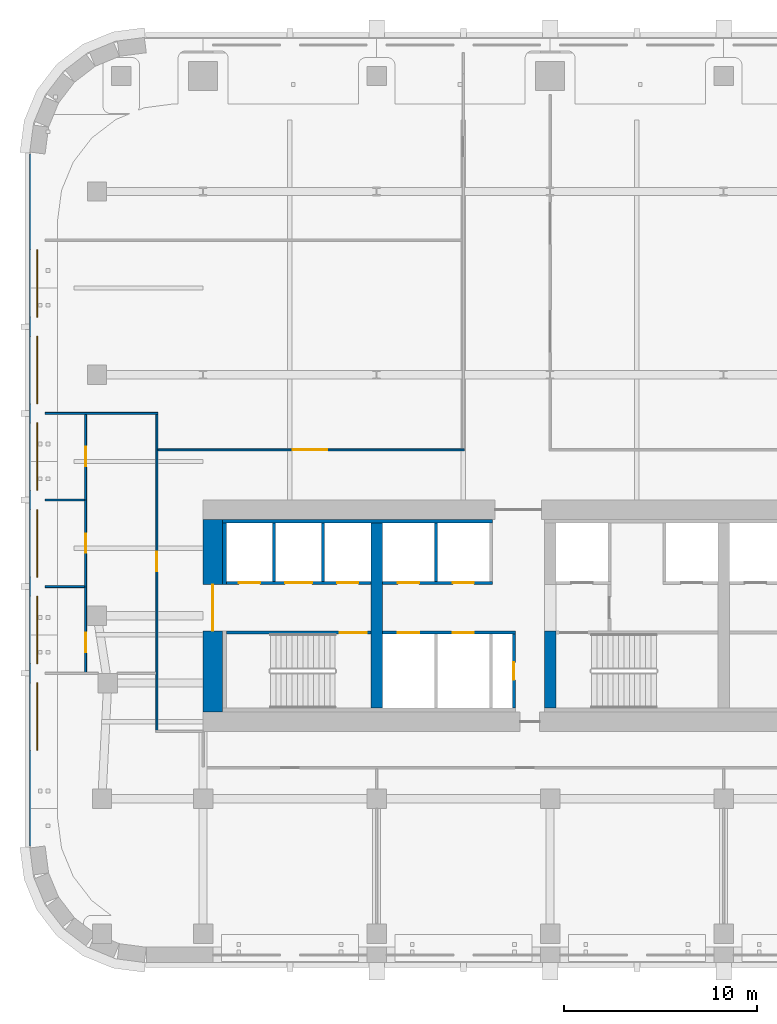
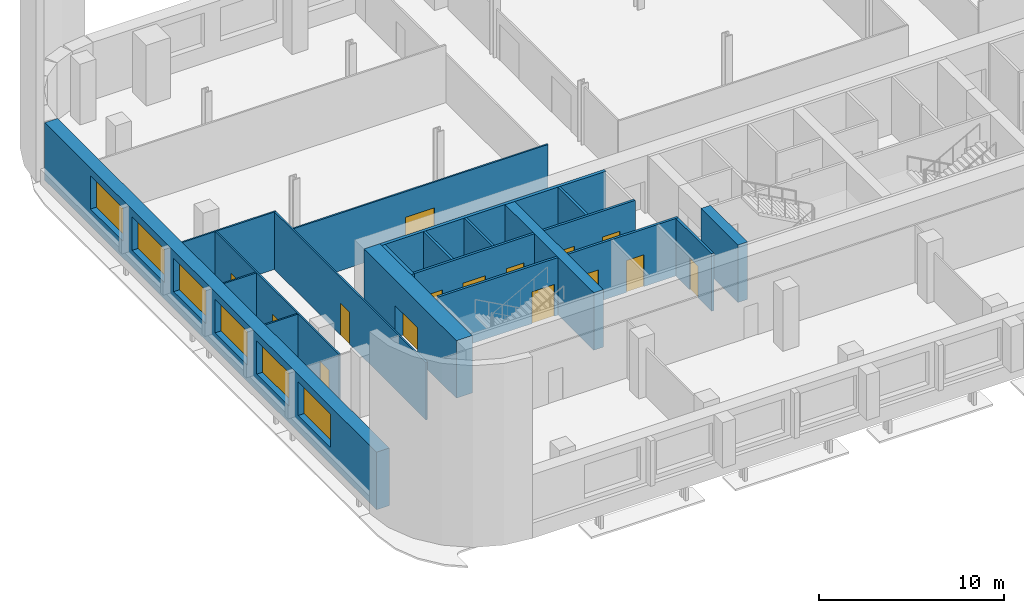
# One storey, part 3 of 13: 20 walls, 15 doors, 6 windows, 21 openings.
"""IFC4 building model written with IfcOpenShell, lengths in metres."""

from ifc_helpers import new_model, si_unit, direction, frame, frame_2d, origin, place, context, subcontext, project, spatial, rectangle, extrude, material, layer, layer_set, type_object, element, fill, save


model = new_model("IFC4")

# Units and contexts
model_context = context("Model", 3, precision=1e-05, world=origin(), true_north=direction((0.0, 1.0)))
body_context = subcontext(model_context, "Body", "Model", "MODEL_VIEW")
ifc_project = project(units=[si_unit("LENGTHUNIT", "METRE"), si_unit("AREAUNIT", "SQUARE_METRE"), si_unit("VOLUMEUNIT", "CUBIC_METRE"), si_unit("PLANEANGLEUNIT", "RADIAN"), si_unit("MASSUNIT", "GRAM", prefix="KILO")], contexts=[model_context])

# Site, building, storey
site_placement = place(None, origin())
site = spatial("IfcSite", under=ifc_project, at=site_placement, CompositionType="ELEMENT")
building_placement = place(site_placement, origin())
building = spatial("IfcBuilding", under=site, at=building_placement, Name="Zellij Exchange Tower", CompositionType="ELEMENT")
storey_placement = place(building_placement, frame((0.0, 0.0, 108.5)))
storey = spatial("IfcBuildingStorey", under=building, at=storey_placement, Name="L23", CompositionType="ELEMENT", Elevation=108.5)

# Walls
ifc_material_1 = material(Name="Concrete C70/85", Category="concrete")
ifc_layer_1 = layer(ifc_material_1, 0.60009765625)
ifc_layer_set_1 = layer_set([ifc_layer_1], Name="Concrete C70/85")
wall_type_1 = type_object("IfcWallType", Name="CORE-CW 600 C70/85", PredefinedType="SHEAR", material=ifc_layer_set_1)
wall_1_placement = place(storey_placement, frame((-18.0, -12.800048828125, 0.0), z_axis=(0.0, 0.0, 1.0), x_axis=(0.0, 1.0, 0.0)))
element("IfcWall", 1, at=wall_1_placement, inside=storey, type_object=wall_type_1, Name="Core cross wall x -18 L23", PredefinedType="SHEAR", context=body_context, shape_type="SweptSolid", body=[
    extrude(rectangle(XDim=9.60009765625, YDim=0.60009765625, at=frame_2d((4.800048828125, 0.0))), origin(), (0.0, 0.0, 1.0), 3.800048828125),
])
wall_2_placement = place(storey_placement, frame((-9.0, -12.800048828125, 0.0), z_axis=(0.0, 0.0, 1.0), x_axis=(0.0, 1.0, 0.0)))
element("IfcWall", 2, at=wall_2_placement, inside=storey, type_object=wall_type_1, Name="Core cross wall pier x -9 a L23", PredefinedType="SHEAR", context=body_context, shape_type="SweptSolid", body=[
    extrude(rectangle(XDim=4.0, YDim=0.60009765625, at=frame_2d((2.0, 0.0))), origin(), (0.0, 0.0, 1.0), 3.800048828125),
])
ifc_material_2 = material(Name="Concrete C30/37", Category="concrete")
ifc_layer_2 = layer(ifc_material_2, 0.199951171875)
ifc_layer_set_2 = layer_set([ifc_layer_2], Name="Concrete C30/37")
wall_type_2 = type_object("IfcWallType", Name="CORE-LW 200 C30/37", PredefinedType="SHEAR", material=ifc_layer_set_2)
wall_3_placement = place(storey_placement, frame((-26.0, -3.10009765625, 0.0), z_axis=(0.0, 0.0, 1.0), x_axis=(1.0, 0.0, 0.0)))
element("IfcWall", 3, at=wall_3_placement, inside=storey, type_object=wall_type_2, Name="Core wall lining front.0 L23", PredefinedType="SHEAR", context=body_context, shape_type="SweptSolid", body=[
    extrude(rectangle(XDim=14.0, YDim=0.199951171875, at=frame_2d((7.0, 0.0))), origin(), (0.0, 0.0, 1.0), 3.800048828125),
])
wall_4_placement = place(storey_placement, frame((-25.89990234375, -6.375, 0.0), z_axis=(0.0, 0.0, 1.0), x_axis=(0.0, 1.0, 0.0)))
element("IfcWall", 4, at=wall_4_placement, inside=storey, type_object=wall_type_2, Name="Core wall lining end w.1 L23", PredefinedType="SHEAR", context=body_context, shape_type="SweptSolid", body=[
    extrude(rectangle(XDim=3.175048828125, YDim=0.199951171875, at=frame_2d((1.58740234375, 0.0))), origin(), (0.0, 0.0, 1.0), 3.800048828125),
])

# Wall, opening, door
ifc_material_3 = material(Name="Gypsum board partition")
ifc_layer_3 = layer(ifc_material_3, 0.14990234375)
ifc_layer_set_3 = layer_set([ifc_layer_3], Name="Gypsum board partition")
wall_type_3 = type_object("IfcWallType", Name="CORE-PW 150 Lift lobby wall", PredefinedType="PARTITIONING", material=ifc_layer_set_3)
wall_5_placement = place(storey_placement, frame((-10.875, -12.800048828125, 0.0), z_axis=(0.0, 0.0, 1.0), x_axis=(0.0, 1.0, 0.0)))
wall_5 = element("IfcWall", 5, at=wall_5_placement, inside=storey, type_object=wall_type_3, Name="Lift lobby wall L23", PredefinedType="PARTITIONING", context=body_context, shape_type="SweptSolid", body=[
    extrude(rectangle(XDim=3.85009765625, YDim=0.14990234375, at=frame_2d((1.925048828125, 0.0))), origin(), (0.0, 0.0, 1.0), 3.800048828125),
])
opening_1_placement = place(wall_5_placement, frame((1.47509765625, 0.0, 0.0)))
opening_1 = element("IfcOpeningElement", 6, at=opening_1_placement, cuts=wall_5, Name="Opening CA-13.10", PredefinedType="OPENING", context=body_context, shape_type="SweptSolid", body=[
    extrude(rectangle(XDim=0.89990234375, YDim=2.10009765625, at=frame_2d((0.449951171875, 1.050048828125))), frame((0.0, 0.0869140625, 0.0), z_axis=(0.0, -1.0, 0.0), x_axis=(1.0, 0.0, 0.0)), (0.0, 0.0, 1.0), 0.173828125),
])
ifc_material_4 = material(Name="Hollow metal fire door")
door_type_1 = type_object("IfcDoorType", Name="CORE-D RD Riser door 900x2100 1.5 HR", OperationType="NOTDEFINED", PredefinedType="DOOR", material=ifc_material_4)
door_1_placement = place(opening_1_placement, origin())
door_1 = element("IfcDoor", 7, at=door_1_placement, inside=storey, type_object=door_type_1, Name="Riser door CA-13.10", OperationType="SINGLE_SWING_RIGHT", OverallHeight=2.10009765625, OverallWidth=0.89990234375, PredefinedType="DOOR", context=body_context, shape_type="SweptSolid", body=[
    extrude(rectangle(XDim=0.89990234375, YDim=2.10009765625, at=frame_2d((0.449951171875, 1.050048828125))), frame((0.0, 0.02490234375, 0.0), z_axis=(0.0, -1.0, 0.0), x_axis=(1.0, 0.0, 0.0)), (0.0, 0.0, 1.0), 0.050048828125),
])
fill(opening_1, door_1)

# Walls
ifc_material_5 = material(Name="Gypsum shaft wall system")
ifc_layer_4 = layer(ifc_material_5, 0.14990234375)
ifc_layer_set_4 = layer_set([ifc_layer_4], Name="Gypsum shaft wall system")
wall_type_4 = type_object("IfcWallType", Name="CORE-PW 150 Lift shaft wall", PredefinedType="PARTITIONING", material=ifc_layer_set_4)
for number, where, z_axis, x_axis, name in (
    (8, (-20.77490234375, -6.22509765625, 0.0), (0.0, 0.0, 1.0), (0.0, 1.0, 0.0), "Lift shaft wall L23"),
    (9, (-23.324951171875, -6.22509765625, 0.0), (0.0, 0.0, 1.0), (0.0, 1.0, 0.0), "Lift shaft wall L23"),
    (10, (-14.925048828125, -6.22509765625, 0.0), (0.0, 0.0, 1.0), (0.0, 1.0, 0.0), "Lift shaft wall L23"),
):
    element("IfcWall", number, at=place(storey_placement, frame(where, z_axis=z_axis, x_axis=x_axis)), inside=storey, type_object=wall_type_4, Name=name, PredefinedType="PARTITIONING", context=body_context, shape_type="SweptSolid", body=[
        extrude(rectangle(XDim=3.025146484375, YDim=0.14990234375, at=frame_2d((1.5126953125, 0.0))), origin(), (0.0, 0.0, 1.0), 3.800048828125),
    ])

# Wall, openings, doors
wall_6_placement = place(storey_placement, frame((-25.800048828125, -6.300048828125, 0.0), z_axis=(0.0, 0.0, 1.0), x_axis=(1.0, 0.0, 0.0)))
wall_6 = element("IfcWall", 11, at=wall_6_placement, inside=storey, type_object=wall_type_4, Name="Lift shaft wall L23", PredefinedType="PARTITIONING", context=body_context, shape_type="SweptSolid", body=[
    extrude(rectangle(XDim=7.5, YDim=0.14990234375, at=frame_2d((3.75, 0.0))), origin(), (0.0, 0.0, 1.0), 3.800048828125),
])
opening_2_placement = place(wall_6_placement, frame((0.64990234375, 0.0, 0.0)))
opening_2 = element("IfcOpeningElement", 12, at=opening_2_placement, cuts=wall_6, Name="Opening CA-13.02", PredefinedType="OPENING", context=body_context, shape_type="SweptSolid", body=[
    extrude(rectangle(XDim=1.10009765625, YDim=2.10009765625, at=frame_2d((0.550048828125, 1.050048828125))), frame((0.0, 0.0869140625, 0.0), z_axis=(0.0, -1.0, 0.0), x_axis=(1.0, 0.0, 0.0)), (0.0, 0.0, 1.0), 0.173828125),
])
opening_3_placement = place(wall_6_placement, frame((3.050048828125, 0.0, 0.0)))
opening_3 = element("IfcOpeningElement", 13, at=opening_3_placement, cuts=wall_6, Name="Opening CA-13.03", PredefinedType="OPENING", context=body_context, shape_type="SweptSolid", body=[
    extrude(rectangle(XDim=1.39990234375, YDim=2.10009765625, at=frame_2d((0.699951171875, 1.050048828125))), frame((0.0, 0.0869140625, 0.0), z_axis=(0.0, -1.0, 0.0), x_axis=(1.0, 0.0, 0.0)), (0.0, 0.0, 1.0), 0.173828125),
])
opening_4_placement = place(wall_6_placement, frame((5.75, 0.0, 0.0)))
opening_4 = element("IfcOpeningElement", 14, at=opening_4_placement, cuts=wall_6, Name="Opening CA-13.04", PredefinedType="OPENING", context=body_context, shape_type="SweptSolid", body=[
    extrude(rectangle(XDim=1.10009765625, YDim=2.10009765625, at=frame_2d((0.550048828125, 1.050048828125))), frame((0.0, 0.0869140625, 0.0), z_axis=(0.0, -1.0, 0.0), x_axis=(1.0, 0.0, 0.0)), (0.0, 0.0, 1.0), 0.173828125),
])
door_type_2 = type_object("IfcDoorType", Name="CORE-D LD Lift landing door 1100x2100 1.5 HR", OperationType="NOTDEFINED", PredefinedType="DOOR", material=ifc_material_4)
door_2_placement = place(opening_2_placement, origin())
door_2 = element("IfcDoor", 15, at=door_2_placement, inside=storey, type_object=door_type_2, Name="Lift landing door CA-13.02", OperationType="SLIDING_TO_RIGHT", OverallHeight=2.10009765625, OverallWidth=1.10009765625, PredefinedType="DOOR", context=body_context, shape_type="SweptSolid", body=[
    extrude(rectangle(XDim=1.10009765625, YDim=2.10009765625, at=frame_2d((0.550048828125, 1.050048828125))), frame((0.0, 0.02490234375, 0.0), z_axis=(0.0, -1.0, 0.0), x_axis=(1.0, 0.0, 0.0)), (0.0, 0.0, 1.0), 0.050048828125),
])
fill(opening_2, door_2)
door_3_placement = place(opening_4_placement, origin())
door_3 = element("IfcDoor", 16, at=door_3_placement, inside=storey, type_object=door_type_2, Name="Lift landing door CA-13.04", OperationType="SLIDING_TO_RIGHT", OverallHeight=2.10009765625, OverallWidth=1.10009765625, PredefinedType="DOOR", context=body_context, shape_type="SweptSolid", body=[
    extrude(rectangle(XDim=1.10009765625, YDim=2.10009765625, at=frame_2d((0.550048828125, 1.050048828125))), frame((0.0, 0.02490234375, 0.0), z_axis=(0.0, -1.0, 0.0), x_axis=(1.0, 0.0, 0.0)), (0.0, 0.0, 1.0), 0.050048828125),
])
fill(opening_4, door_3)
door_type_3 = type_object("IfcDoorType", Name="CORE-D LD2 Service lift landing door 1400x2100 1.5 HR", OperationType="NOTDEFINED", PredefinedType="DOOR", material=ifc_material_4)
door_4_placement = place(opening_3_placement, origin())
door_4 = element("IfcDoor", 17, at=door_4_placement, inside=storey, type_object=door_type_3, Name="Service lift landing door CA-13.03", OperationType="SLIDING_TO_LEFT", OverallHeight=2.10009765625, OverallWidth=1.39990234375, PredefinedType="DOOR", context=body_context, shape_type="SweptSolid", body=[
    extrude(rectangle(XDim=1.39990234375, YDim=2.10009765625, at=frame_2d((0.699951171875, 1.050048828125))), frame((0.0, 0.02490234375, 0.0), z_axis=(0.0, -1.0, 0.0), x_axis=(1.0, 0.0, 0.0)), (0.0, 0.0, 1.0), 0.050048828125),
])
fill(opening_3, door_4)

wall_7_placement = place(storey_placement, frame((-17.699951171875, -6.300048828125, 0.0), z_axis=(0.0, 0.0, 1.0), x_axis=(1.0, 0.0, 0.0)))
wall_7 = element("IfcWall", 18, at=wall_7_placement, inside=storey, type_object=wall_type_4, Name="Lift shaft wall L23", PredefinedType="PARTITIONING", context=body_context, shape_type="SweptSolid", body=[
    extrude(rectangle(XDim=5.699951171875, YDim=0.14990234375, at=frame_2d((2.85009765625, 0.0))), origin(), (0.0, 0.0, 1.0), 3.800048828125),
])
opening_5_placement = place(wall_7_placement, frame((0.800048828125, 0.0, 0.0)))
opening_5 = element("IfcOpeningElement", 19, at=opening_5_placement, cuts=wall_7, Name="Opening CA-13.07", PredefinedType="OPENING", context=body_context, shape_type="SweptSolid", body=[
    extrude(rectangle(XDim=1.10009765625, YDim=2.10009765625, at=frame_2d((0.550048828125, 1.050048828125))), frame((0.0, 0.0869140625, 0.0), z_axis=(0.0, -1.0, 0.0), x_axis=(1.0, 0.0, 0.0)), (0.0, 0.0, 1.0), 0.173828125),
])
opening_6_placement = place(wall_7_placement, frame((3.64990234375, 0.0, 0.0)))
opening_6 = element("IfcOpeningElement", 20, at=opening_6_placement, cuts=wall_7, Name="Opening CA-13.09", PredefinedType="OPENING", context=body_context, shape_type="SweptSolid", body=[
    extrude(rectangle(XDim=1.10009765625, YDim=2.10009765625, at=frame_2d((0.550048828125, 1.050048828125))), frame((0.0, 0.0869140625, 0.0), z_axis=(0.0, -1.0, 0.0), x_axis=(1.0, 0.0, 0.0)), (0.0, 0.0, 1.0), 0.173828125),
])
door_5_placement = place(opening_5_placement, origin())
door_5 = element("IfcDoor", 21, at=door_5_placement, inside=storey, type_object=door_type_2, Name="Lift landing door CA-13.07", OperationType="SLIDING_TO_LEFT", OverallHeight=2.10009765625, OverallWidth=1.10009765625, PredefinedType="DOOR", context=body_context, shape_type="SweptSolid", body=[
    extrude(rectangle(XDim=1.10009765625, YDim=2.10009765625, at=frame_2d((0.550048828125, 1.050048828125))), frame((0.0, 0.02490234375, 0.0), z_axis=(0.0, -1.0, 0.0), x_axis=(1.0, 0.0, 0.0)), (0.0, 0.0, 1.0), 0.050048828125),
])
fill(opening_5, door_5)
door_6_placement = place(opening_6_placement, origin())
door_6 = element("IfcDoor", 22, at=door_6_placement, inside=storey, type_object=door_type_2, Name="Lift landing door CA-13.09", OperationType="SLIDING_TO_LEFT", OverallHeight=2.10009765625, OverallWidth=1.10009765625, PredefinedType="DOOR", context=body_context, shape_type="SweptSolid", body=[
    extrude(rectangle(XDim=1.10009765625, YDim=2.10009765625, at=frame_2d((0.550048828125, 1.050048828125))), frame((0.0, 0.02490234375, 0.0), z_axis=(0.0, -1.0, 0.0), x_axis=(1.0, 0.0, 0.0)), (0.0, 0.0, 1.0), 0.050048828125),
])
fill(opening_6, door_6)

wall_8_placement = place(storey_placement, frame((-17.699951171875, -8.875, 0.0), z_axis=(0.0, 0.0, 1.0), x_axis=(1.0, 0.0, 0.0)))
wall_8 = element("IfcWall", 23, at=wall_8_placement, inside=storey, type_object=wall_type_4, Name="Lift shaft wall L23", PredefinedType="PARTITIONING", context=body_context, shape_type="SweptSolid", body=[
    extrude(rectangle(XDim=6.89990234375, YDim=0.14990234375, at=frame_2d((3.449951171875, 0.0))), origin(), (0.0, 0.0, 1.0), 3.800048828125),
])
opening_7_placement = place(wall_8_placement, frame((0.800048828125, 0.0, 0.0)))
opening_7 = element("IfcOpeningElement", 24, at=opening_7_placement, cuts=wall_8, Name="Opening CA-13.06", PredefinedType="OPENING", context=body_context, shape_type="SweptSolid", body=[
    extrude(rectangle(XDim=1.10009765625, YDim=2.10009765625, at=frame_2d((0.550048828125, 1.050048828125))), frame((0.0, 0.0869140625, 0.0), z_axis=(0.0, -1.0, 0.0), x_axis=(1.0, 0.0, 0.0)), (0.0, 0.0, 1.0), 0.173828125),
])
opening_8_placement = place(wall_8_placement, frame((3.64990234375, 0.0, 0.0)))
opening_8 = element("IfcOpeningElement", 25, at=opening_8_placement, cuts=wall_8, Name="Opening CA-13.08", PredefinedType="OPENING", context=body_context, shape_type="SweptSolid", body=[
    extrude(rectangle(XDim=1.10009765625, YDim=2.10009765625, at=frame_2d((0.550048828125, 1.050048828125))), frame((0.0, 0.0869140625, 0.0), z_axis=(0.0, -1.0, 0.0), x_axis=(1.0, 0.0, 0.0)), (0.0, 0.0, 1.0), 0.173828125),
])
door_7_placement = place(opening_7_placement, origin())
door_7 = element("IfcDoor", 26, at=door_7_placement, inside=storey, type_object=door_type_2, Name="Lift landing door CA-13.06", OperationType="SLIDING_TO_RIGHT", OverallHeight=2.10009765625, OverallWidth=1.10009765625, PredefinedType="DOOR", context=body_context, shape_type="SweptSolid", body=[
    extrude(rectangle(XDim=1.10009765625, YDim=2.10009765625, at=frame_2d((0.550048828125, 1.050048828125))), frame((0.0, 0.02490234375, 0.0), z_axis=(0.0, -1.0, 0.0), x_axis=(1.0, 0.0, 0.0)), (0.0, 0.0, 1.0), 0.050048828125),
])
fill(opening_7, door_7)
door_8_placement = place(opening_8_placement, origin())
door_8 = element("IfcDoor", 27, at=door_8_placement, inside=storey, type_object=door_type_2, Name="Lift landing door CA-13.08", OperationType="SLIDING_TO_RIGHT", OverallHeight=2.10009765625, OverallWidth=1.10009765625, PredefinedType="DOOR", context=body_context, shape_type="SweptSolid", body=[
    extrude(rectangle(XDim=1.10009765625, YDim=2.10009765625, at=frame_2d((0.550048828125, 1.050048828125))), frame((0.0, 0.02490234375, 0.0), z_axis=(0.0, -1.0, 0.0), x_axis=(1.0, 0.0, 0.0)), (0.0, 0.0, 1.0), 0.050048828125),
])
fill(opening_8, door_8)

# Wall, opening, door
ifc_layer_5 = layer(ifc_material_1, 1.0)
ifc_layer_set_5 = layer_set([ifc_layer_5], Name="Concrete C70/85")
wall_type_5 = type_object("IfcWallType", Name="CORE-SW 1000 C70/85", PredefinedType="SHEAR", material=ifc_layer_set_5)
wall_9_placement = place(storey_placement, frame((-26.5, -13.0, 0.0), z_axis=(0.0, 0.0, 1.0), x_axis=(0.0, 1.0, 0.0)))
wall_9 = element("IfcWall", 28, at=wall_9_placement, inside=storey, type_object=wall_type_5, Name="Core shear wall end w L23", PredefinedType="SHEAR", context=body_context, shape_type="SweptSolid", body=[
    extrude(rectangle(XDim=10.0, YDim=1.0, at=frame_2d((5.0, 0.0))), origin(), (0.0, 0.0, 1.0), 3.800048828125),
])
opening_9_placement = place(wall_9_placement, frame((4.2119140625, 0.0, 0.0)))
opening_9 = element("IfcOpeningElement", 29, at=opening_9_placement, cuts=wall_9, Name="Opening CA-13.01", PredefinedType="OPENING", context=body_context, shape_type="SweptSolid", body=[
    extrude(rectangle(XDim=2.39990234375, YDim=2.10009765625, at=frame_2d((1.199951171875, 1.050048828125))), frame((0.0, 0.511962890625, 0.0), z_axis=(0.0, -1.0, 0.0), x_axis=(1.0, 0.0, 0.0)), (0.0, 0.0, 1.0), 1.02392578125),
])
door_type_4 = type_object("IfcDoorType", Name="CORE-D CE Core entrance door 2400x2100 20 MIN", OperationType="NOTDEFINED", PredefinedType="DOOR", material=ifc_material_4)
door_9_placement = place(opening_9_placement, origin())
door_9 = element("IfcDoor", 30, at=door_9_placement, inside=storey, type_object=door_type_4, Name="Core entrance door CA-13.01", OperationType="DOUBLE_DOOR_SINGLE_SWING", OverallHeight=2.10009765625, OverallWidth=2.39990234375, PredefinedType="DOOR", context=body_context, shape_type="SweptSolid", body=[
    extrude(rectangle(XDim=2.39990234375, YDim=2.10009765625, at=frame_2d((1.199951171875, 1.050048828125))), frame((0.0, 0.02490234375, 0.0), z_axis=(0.0, -1.0, 0.0), x_axis=(1.0, 0.0, 0.0)), (0.0, 0.0, 1.0), 0.050048828125),
])
fill(opening_9, door_9)

ifc_layer_6 = layer(ifc_material_1, 0.14990234375)
ifc_layer_set_6 = layer_set([ifc_layer_6], Name="Concrete C70/85")
wall_type_6 = type_object("IfcWallType", Name="CORE-SWS 150 C70/85", PredefinedType="SHEAR", material=ifc_layer_set_6)
wall_10_placement = place(storey_placement, frame((-25.800048828125, -8.875, 0.0), z_axis=(0.0, 0.0, 1.0), x_axis=(1.0, 0.0, 0.0)))
wall_10 = element("IfcWall", 31, at=wall_10_placement, inside=storey, type_object=wall_type_6, Name="Stair enclosure wall L23", PredefinedType="SHEAR", context=body_context, shape_type="SweptSolid", body=[
    extrude(rectangle(XDim=7.5, YDim=0.14990234375, at=frame_2d((3.75, 0.0))), origin(), (0.0, 0.0, 1.0), 3.800048828125),
])
opening_10_placement = place(wall_10_placement, frame((5.875, 0.0, 0.0)))
opening_10 = element("IfcOpeningElement", 32, at=opening_10_placement, cuts=wall_10, Name="Opening CA-13.05", PredefinedType="OPENING", context=body_context, shape_type="SweptSolid", body=[
    extrude(rectangle(XDim=1.39990234375, YDim=2.10009765625, at=frame_2d((0.699951171875, 1.050048828125))), frame((0.0, 0.0869140625, 0.0), z_axis=(0.0, -1.0, 0.0), x_axis=(1.0, 0.0, 0.0)), (0.0, 0.0, 1.0), 0.173828125),
])
door_type_5 = type_object("IfcDoorType", Name="CORE-D SD Stair door 1400x2100 1.5 HR", OperationType="NOTDEFINED", PredefinedType="DOOR", material=ifc_material_4)
door_10_placement = place(opening_10_placement, origin())
door_10 = element("IfcDoor", 33, at=door_10_placement, inside=storey, type_object=door_type_5, Name="Stair door CA-13.05", OperationType="DOUBLE_DOOR_SINGLE_SWING", OverallHeight=2.10009765625, OverallWidth=1.39990234375, PredefinedType="DOOR", context=body_context, shape_type="SweptSolid", body=[
    extrude(rectangle(XDim=1.39990234375, YDim=2.10009765625, at=frame_2d((0.699951171875, 1.050048828125))), frame((0.0, 0.02490234375, 0.0), z_axis=(0.0, -1.0, 0.0), x_axis=(1.0, 0.0, 0.0)), (0.0, 0.0, 1.0), 0.050048828125),
])
fill(opening_10, door_10)

# Wall, openings, windows
ifc_material_6 = material(Name="Precast concrete C40/50", Category="concrete")
ifc_layer_7 = layer(ifc_material_6, 0.800048828125)
ifc_layer_set_7 = layer_set([ifc_layer_7], Name="Precast concrete C40/50")
wall_type_7 = type_object("IfcWallType", Name="ENV-EW1 Precast stone-piered wall 800", PredefinedType="SOLIDWALL", material=ifc_layer_set_7)
wall_11_placement = place(storey_placement, frame((-35.60009765625, 15.947509765625, 0.0), z_axis=(0.0, 0.0, 1.0), x_axis=(0.0, -1.0, 0.0)))
wall_11 = element("IfcWall", 34, at=wall_11_placement, inside=storey, type_object=wall_type_7, Name="fac.L23.26", PredefinedType="SOLIDWALL", context=body_context, shape_type="SweptSolid", body=[
    extrude(rectangle(XDim=35.89501953125, YDim=0.800048828125, at=frame_2d((17.947509765625, 0.0))), origin(), (0.0, 0.0, 1.0), 3.800048828125),
])
opening_11_placement = place(wall_11_placement, frame((4.9638671875, 0.0, 1.10009765625)))
opening_11 = element("IfcOpeningElement", 35, at=opening_11_placement, cuts=wall_11, Name="Opening FZ2.31", PredefinedType="OPENING", context=body_context, shape_type="SweptSolid", body=[
    extrude(rectangle(XDim=3.5, YDim=2.199951171875, at=frame_2d((1.75, 1.10009765625))), frame((0.0, 0.412109375, 0.0), z_axis=(0.0, -1.0, 0.0), x_axis=(1.0, 0.0, 0.0)), (0.0, 0.0, 1.0), 0.823974609375),
])
opening_12_placement = place(wall_11_placement, frame((9.45751953125, 0.0, 1.10009765625)))
opening_12 = element("IfcOpeningElement", 36, at=opening_12_placement, cuts=wall_11, Name="Opening FZ2.32", PredefinedType="OPENING", context=body_context, shape_type="SweptSolid", body=[
    extrude(rectangle(XDim=3.5, YDim=2.199951171875, at=frame_2d((1.75, 1.10009765625))), frame((0.0, 0.412109375, 0.0), z_axis=(0.0, -1.0, 0.0), x_axis=(1.0, 0.0, 0.0)), (0.0, 0.0, 1.0), 0.823974609375),
])
opening_13_placement = place(wall_11_placement, frame((13.950927734375, 0.0, 1.10009765625)))
opening_13 = element("IfcOpeningElement", 37, at=opening_13_placement, cuts=wall_11, Name="Opening FZ2.33", PredefinedType="OPENING", context=body_context, shape_type="SweptSolid", body=[
    extrude(rectangle(XDim=3.5, YDim=2.199951171875, at=frame_2d((1.75, 1.10009765625))), frame((0.0, 0.412109375, 0.0), z_axis=(0.0, -1.0, 0.0), x_axis=(1.0, 0.0, 0.0)), (0.0, 0.0, 1.0), 0.823974609375),
])
opening_14_placement = place(wall_11_placement, frame((18.4443359375, 0.0, 1.10009765625)))
opening_14 = element("IfcOpeningElement", 38, at=opening_14_placement, cuts=wall_11, Name="Opening FZ2.34", PredefinedType="OPENING", context=body_context, shape_type="SweptSolid", body=[
    extrude(rectangle(XDim=3.5, YDim=2.199951171875, at=frame_2d((1.75, 1.10009765625))), frame((0.0, 0.412109375, 0.0), z_axis=(0.0, -1.0, 0.0), x_axis=(1.0, 0.0, 0.0)), (0.0, 0.0, 1.0), 0.823974609375),
])
opening_15_placement = place(wall_11_placement, frame((22.937744140625, 0.0, 1.10009765625)))
opening_15 = element("IfcOpeningElement", 39, at=opening_15_placement, cuts=wall_11, Name="Opening FZ2.35", PredefinedType="OPENING", context=body_context, shape_type="SweptSolid", body=[
    extrude(rectangle(XDim=3.5, YDim=2.199951171875, at=frame_2d((1.75, 1.10009765625))), frame((0.0, 0.412109375, 0.0), z_axis=(0.0, -1.0, 0.0), x_axis=(1.0, 0.0, 0.0)), (0.0, 0.0, 1.0), 0.823974609375),
])
opening_16_placement = place(wall_11_placement, frame((27.43115234375, 0.0, 1.10009765625)))
opening_16 = element("IfcOpeningElement", 40, at=opening_16_placement, cuts=wall_11, Name="Opening FZ2.36", PredefinedType="OPENING", context=body_context, shape_type="SweptSolid", body=[
    extrude(rectangle(XDim=3.5, YDim=2.199951171875, at=frame_2d((1.75, 1.10009765625))), frame((0.0, 0.412109375, 0.0), z_axis=(0.0, -1.0, 0.0), x_axis=(1.0, 0.0, 0.0)), (0.0, 0.0, 1.0), 0.823974609375),
])
ifc_material_7 = material(Name="Aluminium frame with insulating glass", Category="aluminium")
window_type = type_object("IfcWindowType", Name="ENV-W7 Window 3500x2200", PartitioningType="SINGLE_PANEL", PredefinedType="WINDOW", material=ifc_material_7)
window_1_placement = place(opening_11_placement, origin())
window_1 = element("IfcWindow", 41, at=window_1_placement, inside=storey, type_object=window_type, Name="Window FZ2.31", OverallHeight=2.199951171875, OverallWidth=3.5, PartitioningType="SINGLE_PANEL", PredefinedType="WINDOW", context=body_context, shape_type="SweptSolid", body=[
    extrude(rectangle(XDim=3.5, YDim=2.199951171875, at=frame_2d((1.75, 1.10009765625))), frame((0.0, 0.030029296875, 0.0), z_axis=(0.0, -1.0, 0.0), x_axis=(1.0, 0.0, 0.0)), (0.0, 0.0, 1.0), 0.06005859375),
])
fill(opening_11, window_1)
window_2_placement = place(opening_12_placement, origin())
window_2 = element("IfcWindow", 42, at=window_2_placement, inside=storey, type_object=window_type, Name="Window FZ2.32", OverallHeight=2.199951171875, OverallWidth=3.5, PartitioningType="SINGLE_PANEL", PredefinedType="WINDOW", context=body_context, shape_type="SweptSolid", body=[
    extrude(rectangle(XDim=3.5, YDim=2.199951171875, at=frame_2d((1.75, 1.10009765625))), frame((0.0, 0.030029296875, 0.0), z_axis=(0.0, -1.0, 0.0), x_axis=(1.0, 0.0, 0.0)), (0.0, 0.0, 1.0), 0.06005859375),
])
fill(opening_12, window_2)
window_3_placement = place(opening_13_placement, origin())
window_3 = element("IfcWindow", 43, at=window_3_placement, inside=storey, type_object=window_type, Name="Window FZ2.33", OverallHeight=2.199951171875, OverallWidth=3.5, PartitioningType="SINGLE_PANEL", PredefinedType="WINDOW", context=body_context, shape_type="SweptSolid", body=[
    extrude(rectangle(XDim=3.5, YDim=2.199951171875, at=frame_2d((1.75, 1.10009765625))), frame((0.0, 0.030029296875, 0.0), z_axis=(0.0, -1.0, 0.0), x_axis=(1.0, 0.0, 0.0)), (0.0, 0.0, 1.0), 0.06005859375),
])
fill(opening_13, window_3)
window_4_placement = place(opening_14_placement, origin())
window_4 = element("IfcWindow", 44, at=window_4_placement, inside=storey, type_object=window_type, Name="Window FZ2.34", OverallHeight=2.199951171875, OverallWidth=3.5, PartitioningType="SINGLE_PANEL", PredefinedType="WINDOW", context=body_context, shape_type="SweptSolid", body=[
    extrude(rectangle(XDim=3.5, YDim=2.199951171875, at=frame_2d((1.75, 1.10009765625))), frame((0.0, 0.030029296875, 0.0), z_axis=(0.0, -1.0, 0.0), x_axis=(1.0, 0.0, 0.0)), (0.0, 0.0, 1.0), 0.06005859375),
])
fill(opening_14, window_4)
window_5_placement = place(opening_15_placement, origin())
window_5 = element("IfcWindow", 45, at=window_5_placement, inside=storey, type_object=window_type, Name="Window FZ2.35", OverallHeight=2.199951171875, OverallWidth=3.5, PartitioningType="SINGLE_PANEL", PredefinedType="WINDOW", context=body_context, shape_type="SweptSolid", body=[
    extrude(rectangle(XDim=3.5, YDim=2.199951171875, at=frame_2d((1.75, 1.10009765625))), frame((0.0, 0.030029296875, 0.0), z_axis=(0.0, -1.0, 0.0), x_axis=(1.0, 0.0, 0.0)), (0.0, 0.0, 1.0), 0.06005859375),
])
fill(opening_15, window_5)
window_6_placement = place(opening_16_placement, origin())
window_6 = element("IfcWindow", 46, at=window_6_placement, inside=storey, type_object=window_type, Name="Window FZ2.36", OverallHeight=2.199951171875, OverallWidth=3.5, PartitioningType="SINGLE_PANEL", PredefinedType="WINDOW", context=body_context, shape_type="SweptSolid", body=[
    extrude(rectangle(XDim=3.5, YDim=2.199951171875, at=frame_2d((1.75, 1.10009765625))), frame((0.0, 0.030029296875, 0.0), z_axis=(0.0, -1.0, 0.0), x_axis=(1.0, 0.0, 0.0)), (0.0, 0.0, 1.0), 0.06005859375),
])
fill(opening_16, window_6)

# Wall, opening, door
ifc_material_8 = material(Name="Gypsum board partition on steel studs", Category="steel")
ifc_layer_8 = layer(ifc_material_8, 0.10009765625)
ifc_layer_set_8 = layer_set([ifc_layer_8], Name="Gypsum board partition on steel studs")
wall_type_8 = type_object("IfcWallType", Name="FIT-PARTITION-100", PredefinedType="PARTITIONING", material=ifc_layer_set_8)
wall_12_placement = place(storey_placement, frame((-29.39990234375, -13.949951171875, 0.0), z_axis=(0.0, 0.0, 1.0), x_axis=(0.0, 1.0, 0.0)))
wall_12 = element("IfcWall", 47, at=wall_12_placement, inside=storey, type_object=wall_type_8, Name="FIT-PARTITION-100 011", PredefinedType="PARTITIONING", context=body_context, shape_type="SweptSolid", body=[
    extrude(rectangle(XDim=16.389892578125, YDim=0.10009765625, at=frame_2d((8.19482421875, 0.0))), origin(), (0.0, 0.0, 1.0), 3.800048828125),
])
opening_17_placement = place(wall_12_placement, frame((8.260009765625, 0.0, 0.0)))
opening_17 = element("IfcOpeningElement", 48, at=opening_17_placement, cuts=wall_12, Name="Opening TE.07", PredefinedType="OPENING", context=body_context, shape_type="SweptSolid", body=[
    extrude(rectangle(XDim=1.0, YDim=2.10009765625, at=frame_2d((0.5, 1.050048828125))), frame((0.0, 0.06201171875, 0.0), z_axis=(0.0, -1.0, 0.0), x_axis=(1.0, 0.0, 0.0)), (0.0, 0.0, 1.0), 0.1240234375),
])
ifc_material_9 = material(Name="Timber door set", Category="wood")
door_type_6 = type_object("IfcDoorType", Name="FIT-D2-WIDE-1000X2100", OperationType="SINGLE_SWING_LEFT", PredefinedType="DOOR", material=ifc_material_9)
door_11_placement = place(opening_17_placement, origin())
door_11 = element("IfcDoor", 49, at=door_11_placement, inside=storey, type_object=door_type_6, Name="Door TE.07", OperationType="SINGLE_SWING_RIGHT", OverallHeight=2.10009765625, OverallWidth=1.0, PredefinedType="DOOR", context=body_context, shape_type="SweptSolid", body=[
    extrude(rectangle(XDim=1.0, YDim=2.10009765625, at=frame_2d((0.5, 1.050048828125))), frame((0.0, 0.02490234375, 0.0), z_axis=(0.0, -1.0, 0.0), x_axis=(1.0, 0.0, 0.0)), (0.0, 0.0, 1.0), 0.050048828125),
])
fill(opening_17, door_11)

# Wall, openings, doors
wall_13_placement = place(storey_placement, frame((-33.10009765625, -10.93994140625, 0.0), z_axis=(0.0, 0.0, 1.0), x_axis=(0.0, 1.0, 0.0)))
wall_13 = element("IfcWall", 50, at=wall_13_placement, inside=storey, type_object=wall_type_8, Name="FIT-PARTITION-100 016", PredefinedType="PARTITIONING", context=body_context, shape_type="SweptSolid", body=[
    extrude(rectangle(XDim=13.3798828125, YDim=0.10009765625, at=frame_2d((6.68994140625, 0.0))), origin(), (0.0, 0.0, 1.0), 3.800048828125),
])
opening_18_placement = place(wall_13_placement, frame((1.050048828125, 0.0, 0.0)))
opening_18 = element("IfcOpeningElement", 51, at=opening_18_placement, cuts=wall_13, Name="Opening TE.05", PredefinedType="OPENING", context=body_context, shape_type="SweptSolid", body=[
    extrude(rectangle(XDim=1.0, YDim=2.10009765625, at=frame_2d((0.5, 1.050048828125))), frame((0.0, 0.06201171875, 0.0), z_axis=(0.0, -1.0, 0.0), x_axis=(1.0, 0.0, 0.0)), (0.0, 0.0, 1.0), 0.1240234375),
])
opening_19_placement = place(wall_13_placement, frame((6.199951171875, 0.0, 0.0)))
opening_19 = element("IfcOpeningElement", 52, at=opening_19_placement, cuts=wall_13, Name="Opening TE.08", PredefinedType="OPENING", context=body_context, shape_type="SweptSolid", body=[
    extrude(rectangle(XDim=1.0, YDim=2.10009765625, at=frame_2d((0.5, 1.050048828125))), frame((0.0, 0.06201171875, 0.0), z_axis=(0.0, -1.0, 0.0), x_axis=(1.0, 0.0, 0.0)), (0.0, 0.0, 1.0), 0.1240234375),
])
opening_20_placement = place(wall_13_placement, frame((10.68994140625, 0.0, 0.0)))
opening_20 = element("IfcOpeningElement", 53, at=opening_20_placement, cuts=wall_13, Name="Opening TE.09", PredefinedType="OPENING", context=body_context, shape_type="SweptSolid", body=[
    extrude(rectangle(XDim=1.0, YDim=2.10009765625, at=frame_2d((0.5, 1.050048828125))), frame((0.0, 0.06201171875, 0.0), z_axis=(0.0, -1.0, 0.0), x_axis=(1.0, 0.0, 0.0)), (0.0, 0.0, 1.0), 0.1240234375),
])
door_12_placement = place(opening_18_placement, origin())
door_12 = element("IfcDoor", 54, at=door_12_placement, inside=storey, type_object=door_type_6, Name="Door TE.05", OperationType="SINGLE_SWING_RIGHT", OverallHeight=2.10009765625, OverallWidth=1.0, PredefinedType="DOOR", context=body_context, shape_type="SweptSolid", body=[
    extrude(rectangle(XDim=1.0, YDim=2.10009765625, at=frame_2d((0.5, 1.050048828125))), frame((0.0, 0.02490234375, 0.0), z_axis=(0.0, -1.0, 0.0), x_axis=(1.0, 0.0, 0.0)), (0.0, 0.0, 1.0), 0.050048828125),
])
fill(opening_18, door_12)
door_13_placement = place(opening_19_placement, origin())
door_13 = element("IfcDoor", 55, at=door_13_placement, inside=storey, type_object=door_type_6, Name="Door TE.08", OperationType="SINGLE_SWING_LEFT", OverallHeight=2.10009765625, OverallWidth=1.0, PredefinedType="DOOR", context=body_context, shape_type="SweptSolid", body=[
    extrude(rectangle(XDim=1.0, YDim=2.10009765625, at=frame_2d((0.5, 1.050048828125))), frame((0.0, 0.02490234375, 0.0), z_axis=(0.0, -1.0, 0.0), x_axis=(1.0, 0.0, 0.0)), (0.0, 0.0, 1.0), 0.050048828125),
])
fill(opening_19, door_13)
door_14_placement = place(opening_20_placement, origin())
door_14 = element("IfcDoor", 56, at=door_14_placement, inside=storey, type_object=door_type_6, Name="Door TE.09", OperationType="SINGLE_SWING_LEFT", OverallHeight=2.10009765625, OverallWidth=1.0, PredefinedType="DOOR", context=body_context, shape_type="SweptSolid", body=[
    extrude(rectangle(XDim=1.0, YDim=2.10009765625, at=frame_2d((0.5, 1.050048828125))), frame((0.0, 0.02490234375, 0.0), z_axis=(0.0, -1.0, 0.0), x_axis=(1.0, 0.0, 0.0)), (0.0, 0.0, 1.0), 0.050048828125),
])
fill(opening_20, door_14)

# Walls
for number, where, z_axis, x_axis, name in (
    (57, (-35.199951171875, -6.489990234375, 0.0), (0.0, 0.0, 1.0), (1.0, 0.0, 0.0), "FIT-PARTITION-100 018"),
    (58, (-35.199951171875, -2.0, 0.0), (0.0, 0.0, 1.0), (1.0, 0.0, 0.0), "FIT-PARTITION-100 021"),
):
    element("IfcWall", number, at=place(storey_placement, frame(where, z_axis=z_axis, x_axis=x_axis)), inside=storey, type_object=wall_type_8, Name=name, PredefinedType="PARTITIONING", context=body_context, shape_type="SweptSolid", body=[
        extrude(rectangle(XDim=2.050048828125, YDim=0.10009765625, at=frame_2d((1.02490234375, 0.0))), origin(), (0.0, 0.0, 1.0), 3.800048828125),
    ])

# Wall, opening, door
wall_14_placement = place(storey_placement, frame((-29.35009765625, 0.60009765625, 0.0), z_axis=(0.0, 0.0, 1.0), x_axis=(1.0, 0.0, 0.0)))
wall_14 = element("IfcWall", 59, at=wall_14_placement, inside=storey, type_object=wall_type_8, Name="FIT-PARTITION-100 023", PredefinedType="PARTITIONING", context=body_context, shape_type="SweptSolid", body=[
    extrude(rectangle(XDim=15.900146484375, YDim=0.10009765625, at=frame_2d((7.9501953125, 0.0))), origin(), (0.0, 0.0, 1.0), 3.800048828125),
])
opening_21_placement = place(wall_14_placement, frame((7.0, 0.0, 0.0)))
opening_21 = element("IfcOpeningElement", 60, at=opening_21_placement, cuts=wall_14, Name="Opening TE.10", PredefinedType="OPENING", context=body_context, shape_type="SweptSolid", body=[
    extrude(rectangle(XDim=1.800048828125, YDim=2.10009765625, at=frame_2d((0.89990234375, 1.050048828125))), frame((0.0, 0.06201171875, 0.0), z_axis=(0.0, -1.0, 0.0), x_axis=(1.0, 0.0, 0.0)), (0.0, 0.0, 1.0), 0.1240234375),
])
door_type_7 = type_object("IfcDoorType", Name="FIT-D3-DOUBLE-1800X2100", OperationType="DOUBLE_DOOR_SINGLE_SWING", PredefinedType="DOOR", material=ifc_material_9)
door_15_placement = place(opening_21_placement, origin())
door_15 = element("IfcDoor", 61, at=door_15_placement, inside=storey, type_object=door_type_7, Name="Door TE.10", OperationType="DOUBLE_DOOR_SINGLE_SWING", OverallHeight=2.10009765625, OverallWidth=1.800048828125, PredefinedType="DOOR", context=body_context, shape_type="SweptSolid", body=[
    extrude(rectangle(XDim=1.800048828125, YDim=2.10009765625, at=frame_2d((0.89990234375, 1.050048828125))), frame((0.0, 0.02490234375, 0.0), z_axis=(0.0, -1.0, 0.0), x_axis=(1.0, 0.0, 0.0)), (0.0, 0.0, 1.0), 0.050048828125),
])
fill(opening_21, door_15)

# Wall
wall_15_placement = place(storey_placement, frame((-35.199951171875, 2.489990234375, 0.0), z_axis=(0.0, 0.0, 1.0), x_axis=(1.0, 0.0, 0.0)))
element("IfcWall", 62, at=wall_15_placement, inside=storey, type_object=wall_type_8, Name="FIT-PARTITION-100 037", PredefinedType="PARTITIONING", context=body_context, shape_type="SweptSolid", body=[
    extrude(rectangle(XDim=5.849853515625, YDim=0.10009765625, at=frame_2d((2.9248046875, 0.0))), origin(), (0.0, 0.0, 1.0), 3.800048828125),
])

save(model, "model.ifc")
